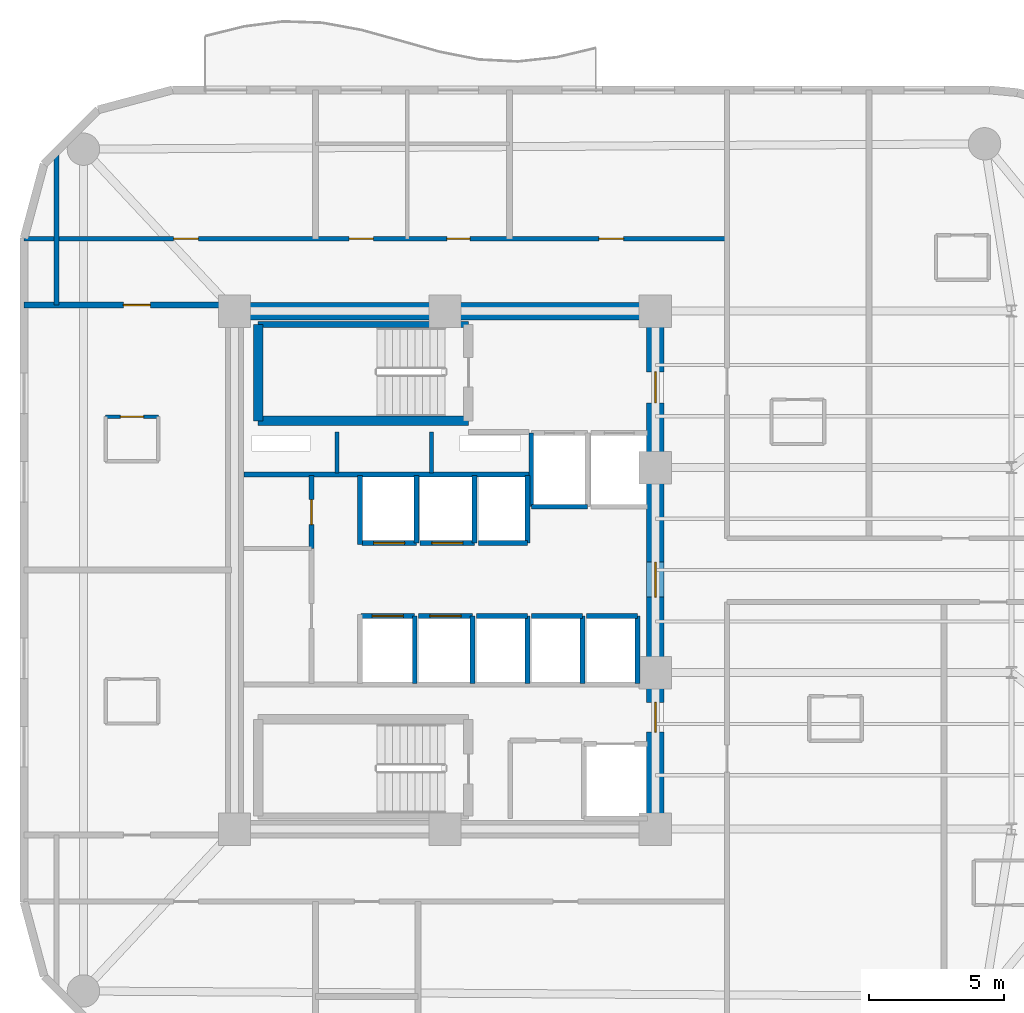
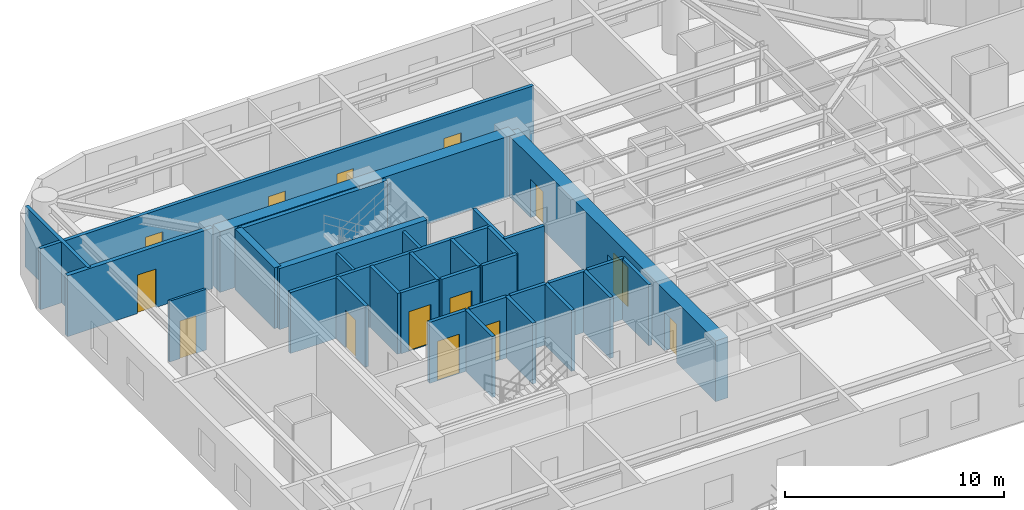
# One storey, part 11 of 15: 32 walls, 14 doors, 14 openings.
"""IFC4 building model written with IfcOpenShell, lengths in metres."""

from ifc_helpers import new_model, si_unit, direction, frame, frame_2d, origin, place, context, subcontext, project, spatial, rectangle, extrude, material, layer, layer_set, type_object, element, fill, save


model = new_model("IFC4")

# Units and contexts
model_context = context("Model", 3, precision=1e-05, world=origin(), true_north=direction((0.0, 1.0)))
body_context = subcontext(model_context, "Body", "Model", "MODEL_VIEW")
ifc_project = project(units=[si_unit("LENGTHUNIT", "METRE"), si_unit("AREAUNIT", "SQUARE_METRE"), si_unit("VOLUMEUNIT", "CUBIC_METRE"), si_unit("PLANEANGLEUNIT", "RADIAN"), si_unit("MASSUNIT", "GRAM", prefix="KILO")], contexts=[model_context])

# Site, building, storey
site_placement = place(None, origin())
site = spatial("IfcSite", under=ifc_project, at=site_placement, CompositionType="ELEMENT")
building_placement = place(site_placement, origin())
building = spatial("IfcBuilding", under=site, at=building_placement, Name="An Khanh Terracotta Commons", CompositionType="ELEMENT")
storey_placement = place(building_placement, frame((0.0, 0.0, 143.800048828125)))
storey = spatial("IfcBuildingStorey", under=building, at=storey_placement, Name="L37", CompositionType="ELEMENT", Elevation=143.800048828125)

# Wall
ifc_material_1 = material(Name="Concrete C60/75", Category="concrete")
ifc_layer_1 = layer(ifc_material_1, 0.64990234375, Name="Concrete C60/75")
ifc_layer_set_1 = layer_set([ifc_layer_1], Name="Concrete C60/75")
wall_type_1 = type_object("IfcWallType", Name="WALL-CORE-650", PredefinedType="SHEAR", material=ifc_layer_set_1)
wall_1_placement = place(storey_placement, frame((21.60009765625, 33.60009765625, 0.0), z_axis=(0.0, 0.0, 1.0), x_axis=(1.0, 0.0, 0.0)))
element("IfcWall", 1, at=wall_1_placement, inside=storey, type_object=wall_type_1, Name="L37 Core Wall CWALL-L37-N", PredefinedType="SHEAR", context=body_context, shape_type="SweptSolid", body=[
    extrude(rectangle(XDim=15.599853515625, YDim=0.64990234375, at=frame_2d((7.7998046875, 0.0))), origin(), (0.0, 0.0, 1.0), 3.39990234375),
])

# Wall, openings, doors
wall_2_placement = place(storey_placement, frame((37.199951171875, 14.39990234375, 0.0), z_axis=(0.0, 0.0, 1.0), x_axis=(0.0, 1.0, 0.0)))
wall_2 = element("IfcWall", 2, at=wall_2_placement, inside=storey, type_object=wall_type_1, Name="L37 Core Wall CWALL-L37-E", PredefinedType="SHEAR", context=body_context, shape_type="SweptSolid", body=[
    extrude(rectangle(XDim=19.2001953125, YDim=0.64990234375, at=frame_2d((9.60009765625, 0.0))), origin(), (0.0, 0.0, 1.0), 3.39990234375),
])
opening_1_placement = place(wall_2_placement, frame((15.800048828125, 0.0, 0.0)))
opening_1 = element("IfcOpeningElement", 3, at=opening_1_placement, cuts=wall_2, Name="Opening D-FFL", PredefinedType="OPENING", context=body_context, shape_type="SweptSolid", body=[
    extrude(rectangle(XDim=1.14990234375, YDim=2.14990234375, at=frame_2d((0.574951171875, 1.074951171875))), frame((0.0, 0.3349609375, 0.0), z_axis=(0.0, -1.0, 0.0), x_axis=(1.0, 0.0, 0.0)), (0.0, 0.0, 1.0), 0.669921875),
])
opening_2_placement = place(wall_2_placement, frame((3.60009765625, 0.0, 0.0)))
opening_2 = element("IfcOpeningElement", 4, at=opening_2_placement, cuts=wall_2, Name="Opening D-ST", PredefinedType="OPENING", context=body_context, shape_type="SweptSolid", body=[
    extrude(rectangle(XDim=1.10009765625, YDim=2.14990234375, at=frame_2d((0.550048828125, 1.074951171875))), frame((0.0, 0.3349609375, 0.0), z_axis=(0.0, -1.0, 0.0), x_axis=(1.0, 0.0, 0.0)), (0.0, 0.0, 1.0), 0.669921875),
])
opening_3_placement = place(wall_2_placement, frame((8.60009765625, 0.0, 0.0)))
opening_3 = element("IfcOpeningElement", 5, at=opening_3_placement, cuts=wall_2, Name="Opening D-COR", PredefinedType="OPENING", context=body_context, shape_type="SweptSolid", body=[
    extrude(rectangle(XDim=1.300048828125, YDim=2.199951171875, at=frame_2d((0.64990234375, 1.10009765625))), frame((0.0, 0.3349609375, 0.0), z_axis=(0.0, -1.0, 0.0), x_axis=(1.0, 0.0, 0.0)), (0.0, 0.0, 1.0), 0.669921875),
])
ifc_material_2 = material(Name="Fire-Rated Glazed Steel Double Door", Category="steel")
door_type_1 = type_object("IfcDoorType", Name="DOOR-CORR-1300", OperationType="NOTDEFINED", PredefinedType="DOOR", material=ifc_material_2)
door_1_placement = place(opening_3_placement, origin())
door_1 = element("IfcDoor", 6, at=door_1_placement, inside=storey, type_object=door_type_1, Name="L37 Passenger Lift Lobby Double Door", OperationType="DOUBLE_DOOR_SINGLE_SWING", OverallHeight=2.199951171875, OverallWidth=1.300048828125, PredefinedType="DOOR", context=body_context, shape_type="SweptSolid", body=[
    extrude(rectangle(XDim=1.300048828125, YDim=2.199951171875, at=frame_2d((0.64990234375, 1.10009765625))), frame((0.0, 0.02490234375, 0.0), z_axis=(0.0, -1.0, 0.0), x_axis=(1.0, 0.0, 0.0)), (0.0, 0.0, 1.0), 0.050048828125),
])
fill(opening_3, door_1)
ifc_material_3 = material(Name="Fire-Rated Steel Leaf and Vision Panel", Category="steel")
door_type_2 = type_object("IfcDoorType", Name="DOOR-FFL-1150", OperationType="NOTDEFINED", PredefinedType="DOOR", material=ifc_material_3)
door_2_placement = place(opening_1_placement, origin())
door_2 = element("IfcDoor", 7, at=door_2_placement, inside=storey, type_object=door_type_2, Name="L37 Firefighting Lift Lobby Fire Door", OperationType="SINGLE_SWING_RIGHT", OverallHeight=2.14990234375, OverallWidth=1.14990234375, PredefinedType="DOOR", context=body_context, shape_type="SweptSolid", body=[
    extrude(rectangle(XDim=1.14990234375, YDim=2.14990234375, at=frame_2d((0.574951171875, 1.074951171875))), frame((0.0, 0.02490234375, 0.0), z_axis=(0.0, -1.0, 0.0), x_axis=(1.0, 0.0, 0.0)), (0.0, 0.0, 1.0), 0.050048828125),
])
fill(opening_1, door_2)
ifc_material_4 = material(Name="Fire-Rated Steel Leaf and Frame", Category="steel")
door_type_3 = type_object("IfcDoorType", Name="DOOR-STAIR-1100", OperationType="NOTDEFINED", PredefinedType="DOOR", material=ifc_material_4)
door_3_placement = place(opening_2_placement, origin())
door_3 = element("IfcDoor", 8, at=door_3_placement, inside=storey, type_object=door_type_3, Name="L37 South Stair Lobby Fire Door", OperationType="SINGLE_SWING_LEFT", OverallHeight=2.14990234375, OverallWidth=1.10009765625, PredefinedType="DOOR", context=body_context, shape_type="SweptSolid", body=[
    extrude(rectangle(XDim=1.10009765625, YDim=2.14990234375, at=frame_2d((0.550048828125, 1.074951171875))), frame((0.0, 0.02490234375, 0.0), z_axis=(0.0, -1.0, 0.0), x_axis=(1.0, 0.0, 0.0)), (0.0, 0.0, 1.0), 0.050048828125),
])
fill(opening_2, door_3)

# Walls
ifc_material_5 = material(Name="Fire-Rated Gypsum Board on Steel Stud", Category="steel")
ifc_layer_2 = layer(ifc_material_5, 0.179931640625, Name="Fire-Rated Gypsum Board on Steel Stud")
ifc_layer_set_2 = layer_set([ifc_layer_2], Name="Fire-Rated Gypsum Board on Steel Stud")
wall_type_2 = type_object("IfcWallType", Name="WALL-CORR-180", PredefinedType="PARTITIONING", material=ifc_layer_set_2)
wall_3_placement = place(storey_placement, frame((21.949951171875, 27.5400390625, 0.0), z_axis=(0.0, 0.0, 1.0), x_axis=(1.0, 0.0, 0.0)))
element("IfcWall", 9, at=wall_3_placement, inside=storey, type_object=wall_type_2, Name="L37 Core Wall RSRW-L37-S", PredefinedType="PARTITIONING", context=body_context, shape_type="SweptSolid", body=[
    extrude(rectangle(XDim=10.56005859375, YDim=0.179931640625, at=frame_2d((5.280029296875, 0.0))), origin(), (0.0, 0.0, 1.0), 3.39990234375),
])
wall_4_placement = place(storey_placement, frame((34.679931640625, 26.35009765625, 0.0), z_axis=(0.0, 0.0, 1.0), x_axis=(-1.0, 0.0, 0.0)))
element("IfcWall", 10, at=wall_4_placement, inside=storey, type_object=wall_type_2, Name="L37 Core Wall LSH-L37-FFL-01-S", PredefinedType="PARTITIONING", context=body_context, shape_type="SweptSolid", body=[
    extrude(rectangle(XDim=2.079833984375, YDim=0.179931640625, at=frame_2d((1.0400390625, 0.0))), origin(), (0.0, 0.0, 1.0), 3.39990234375),
])
wall_5_placement = place(storey_placement, frame((32.60009765625, 29.080078125, 0.0), z_axis=(0.0, 0.0, 1.0), x_axis=(0.0, -1.0, 0.0)))
element("IfcWall", 11, at=wall_5_placement, inside=storey, type_object=wall_type_2, Name="L37 Core Wall LSH-L37-FFL-01-W", PredefinedType="PARTITIONING", context=body_context, shape_type="SweptSolid", body=[
    extrude(rectangle(XDim=2.72998046875, YDim=0.179931640625, at=frame_2d((1.364990234375, 0.0))), origin(), (0.0, 0.0, 1.0), 3.39990234375),
])

# Wall, opening, door
wall_6_placement = place(storey_placement, frame((28.340087890625, 25.0, 0.0), z_axis=(0.0, 0.0, 1.0), x_axis=(-1.0, 0.0, 0.0)))
wall_6 = element("IfcWall", 12, at=wall_6_placement, inside=storey, type_object=wall_type_2, Name="L37 Core Wall LSH-L37-PL-M1-S", PredefinedType="PARTITIONING", context=body_context, shape_type="SweptSolid", body=[
    extrude(rectangle(XDim=2.02001953125, YDim=0.179931640625, at=frame_2d((1.010009765625, 0.0))), origin(), (0.0, 0.0, 1.0), 3.39990234375),
])
opening_4_placement = place(wall_6_placement, frame((0.43505859375, 0.0, 0.0)))
opening_4 = element("IfcOpeningElement", 13, at=opening_4_placement, cuts=wall_6, Name="Opening LD-PL-M1-L37", PredefinedType="OPENING", context=body_context, shape_type="SweptSolid", body=[
    extrude(rectangle(XDim=1.14990234375, YDim=2.199951171875, at=frame_2d((0.574951171875, 1.10009765625))), frame((0.0, 0.099853515625, 0.0), z_axis=(0.0, -1.0, 0.0), x_axis=(1.0, 0.0, 0.0)), (0.0, 0.0, 1.0), 0.199951171875),
])
ifc_material_6 = material(Name="Brushed Stainless Steel Passenger Landing Door", Category="steel")
door_type_4 = type_object("IfcDoorType", Name="DOOR-LD-PAX-1150", OperationType="NOTDEFINED", PredefinedType="DOOR", material=ifc_material_6)
door_4_placement = place(opening_4_placement, origin())
door_4 = element("IfcDoor", 14, at=door_4_placement, inside=storey, type_object=door_type_4, Name="L37 Lift PL-M1 Sliding Landing Door", OperationType="DOUBLE_DOOR_SLIDING", OverallHeight=2.199951171875, OverallWidth=1.14990234375, PredefinedType="DOOR", context=body_context, shape_type="SweptSolid", body=[
    extrude(rectangle(XDim=1.14990234375, YDim=2.199951171875, at=frame_2d((0.574951171875, 1.10009765625))), frame((0.0, 0.02490234375, 0.0), z_axis=(0.0, -1.0, 0.0), x_axis=(1.0, 0.0, 0.0)), (0.0, 0.0, 1.0), 0.050048828125),
])
fill(opening_4, door_4)

# Wall
wall_7_placement = place(storey_placement, frame((28.340087890625, 25.0, 0.0), z_axis=(0.0, 0.0, 1.0), x_axis=(0.0, 1.0, 0.0)))
element("IfcWall", 15, at=wall_7_placement, inside=storey, type_object=wall_type_2, Name="L37 Core Wall LSH-L37-PL-M1-E", PredefinedType="PARTITIONING", context=body_context, shape_type="SweptSolid", body=[
    extrude(rectangle(XDim=2.5, YDim=0.179931640625, at=frame_2d((1.25, 0.0))), origin(), (0.0, 0.0, 1.0), 3.39990234375),
])

# Wall, opening, door
wall_8_placement = place(storey_placement, frame((30.5, 25.0, 0.0), z_axis=(0.0, 0.0, 1.0), x_axis=(-1.0, 0.0, 0.0)))
wall_8 = element("IfcWall", 16, at=wall_8_placement, inside=storey, type_object=wall_type_2, Name="L37 Core Wall LSH-L37-PL-M2-S", PredefinedType="PARTITIONING", context=body_context, shape_type="SweptSolid", body=[
    extrude(rectangle(XDim=2.02001953125, YDim=0.179931640625, at=frame_2d((1.010009765625, 0.0))), origin(), (0.0, 0.0, 1.0), 3.39990234375),
])
opening_5_placement = place(wall_8_placement, frame((0.43505859375, 0.0, 0.0)))
opening_5 = element("IfcOpeningElement", 17, at=opening_5_placement, cuts=wall_8, Name="Opening LD-PL-M2-L37", PredefinedType="OPENING", context=body_context, shape_type="SweptSolid", body=[
    extrude(rectangle(XDim=1.14990234375, YDim=2.199951171875, at=frame_2d((0.574951171875, 1.10009765625))), frame((0.0, 0.099853515625, 0.0), z_axis=(0.0, -1.0, 0.0), x_axis=(1.0, 0.0, 0.0)), (0.0, 0.0, 1.0), 0.199951171875),
])
door_5_placement = place(opening_5_placement, origin())
door_5 = element("IfcDoor", 18, at=door_5_placement, inside=storey, type_object=door_type_4, Name="L37 Lift PL-M2 Sliding Landing Door", OperationType="DOUBLE_DOOR_SLIDING", OverallHeight=2.199951171875, OverallWidth=1.14990234375, PredefinedType="DOOR", context=body_context, shape_type="SweptSolid", body=[
    extrude(rectangle(XDim=1.14990234375, YDim=2.199951171875, at=frame_2d((0.574951171875, 1.10009765625))), frame((0.0, 0.02490234375, 0.0), z_axis=(0.0, -1.0, 0.0), x_axis=(1.0, 0.0, 0.0)), (0.0, 0.0, 1.0), 0.050048828125),
])
fill(opening_5, door_5)

# Wall
wall_9_placement = place(storey_placement, frame((30.5, 25.0, 0.0), z_axis=(0.0, 0.0, 1.0), x_axis=(0.0, 1.0, 0.0)))
element("IfcWall", 19, at=wall_9_placement, inside=storey, type_object=wall_type_2, Name="L37 Core Wall LSH-L37-PL-M2-E", PredefinedType="PARTITIONING", context=body_context, shape_type="SweptSolid", body=[
    extrude(rectangle(XDim=2.5, YDim=0.179931640625, at=frame_2d((1.25, 0.0))), origin(), (0.0, 0.0, 1.0), 3.39990234375),
])

# Wall, opening, door
wall_10_placement = place(storey_placement, frame((26.280029296875, 22.300048828125, 0.0), z_axis=(0.0, 0.0, 1.0), x_axis=(1.0, 0.0, 0.0)))
wall_10 = element("IfcWall", 20, at=wall_10_placement, inside=storey, type_object=wall_type_2, Name="L37 Core Wall LSH-L37-PL-M3-N", PredefinedType="PARTITIONING", context=body_context, shape_type="SweptSolid", body=[
    extrude(rectangle(XDim=2.0, YDim=0.179931640625, at=frame_2d((1.0, 0.0))), origin(), (0.0, 0.0, 1.0), 3.39990234375),
])
opening_6_placement = place(wall_10_placement, frame((0.425048828125, 0.0, 0.0)))
opening_6 = element("IfcOpeningElement", 21, at=opening_6_placement, cuts=wall_10, Name="Opening LD-PL-M3-L37", PredefinedType="OPENING", context=body_context, shape_type="SweptSolid", body=[
    extrude(rectangle(XDim=1.14990234375, YDim=2.199951171875, at=frame_2d((0.574951171875, 1.10009765625))), frame((0.0, 0.099853515625, 0.0), z_axis=(0.0, -1.0, 0.0), x_axis=(1.0, 0.0, 0.0)), (0.0, 0.0, 1.0), 0.199951171875),
])
door_6_placement = place(opening_6_placement, origin())
door_6 = element("IfcDoor", 22, at=door_6_placement, inside=storey, type_object=door_type_4, Name="L37 Lift PL-M3 Sliding Landing Door", OperationType="DOUBLE_DOOR_SLIDING", OverallHeight=2.199951171875, OverallWidth=1.14990234375, PredefinedType="DOOR", context=body_context, shape_type="SweptSolid", body=[
    extrude(rectangle(XDim=1.14990234375, YDim=2.199951171875, at=frame_2d((0.574951171875, 1.10009765625))), frame((0.0, 0.02490234375, 0.0), z_axis=(0.0, -1.0, 0.0), x_axis=(1.0, 0.0, 0.0)), (0.0, 0.0, 1.0), 0.050048828125),
])
fill(opening_6, door_6)

# Wall
wall_11_placement = place(storey_placement, frame((28.280029296875, 19.800048828125, 0.0), z_axis=(0.0, 0.0, 1.0), x_axis=(0.0, 1.0, 0.0)))
element("IfcWall", 23, at=wall_11_placement, inside=storey, type_object=wall_type_2, Name="L37 Core Wall LSH-L37-PL-M3-E", PredefinedType="PARTITIONING", context=body_context, shape_type="SweptSolid", body=[
    extrude(rectangle(XDim=2.5, YDim=0.179931640625, at=frame_2d((1.25, 0.0))), origin(), (0.0, 0.0, 1.0), 3.39990234375),
])

# Wall, opening, door
wall_12_placement = place(storey_placement, frame((28.419921875, 22.300048828125, 0.0), z_axis=(0.0, 0.0, 1.0), x_axis=(1.0, 0.0, 0.0)))
wall_12 = element("IfcWall", 24, at=wall_12_placement, inside=storey, type_object=wall_type_2, Name="L37 Core Wall LSH-L37-PL-M4-N", PredefinedType="PARTITIONING", context=body_context, shape_type="SweptSolid", body=[
    extrude(rectangle(XDim=2.0, YDim=0.179931640625, at=frame_2d((1.0, 0.0))), origin(), (0.0, 0.0, 1.0), 3.39990234375),
])
opening_7_placement = place(wall_12_placement, frame((0.425048828125, 0.0, 0.0)))
opening_7 = element("IfcOpeningElement", 25, at=opening_7_placement, cuts=wall_12, Name="Opening LD-PL-M4-L37", PredefinedType="OPENING", context=body_context, shape_type="SweptSolid", body=[
    extrude(rectangle(XDim=1.14990234375, YDim=2.199951171875, at=frame_2d((0.574951171875, 1.10009765625))), frame((0.0, 0.099853515625, 0.0), z_axis=(0.0, -1.0, 0.0), x_axis=(1.0, 0.0, 0.0)), (0.0, 0.0, 1.0), 0.199951171875),
])
door_7_placement = place(opening_7_placement, origin())
door_7 = element("IfcDoor", 26, at=door_7_placement, inside=storey, type_object=door_type_4, Name="L37 Lift PL-M4 Sliding Landing Door", OperationType="DOUBLE_DOOR_SLIDING", OverallHeight=2.199951171875, OverallWidth=1.14990234375, PredefinedType="DOOR", context=body_context, shape_type="SweptSolid", body=[
    extrude(rectangle(XDim=1.14990234375, YDim=2.199951171875, at=frame_2d((0.574951171875, 1.10009765625))), frame((0.0, 0.02490234375, 0.0), z_axis=(0.0, -1.0, 0.0), x_axis=(1.0, 0.0, 0.0)), (0.0, 0.0, 1.0), 0.050048828125),
])
fill(opening_7, door_7)

# Walls
wall_13_placement = place(storey_placement, frame((30.419921875, 19.800048828125, 0.0), z_axis=(0.0, 0.0, 1.0), x_axis=(0.0, 1.0, 0.0)))
element("IfcWall", 27, at=wall_13_placement, inside=storey, type_object=wall_type_2, Name="L37 Core Wall LSH-L37-PL-M4-E", PredefinedType="PARTITIONING", context=body_context, shape_type="SweptSolid", body=[
    extrude(rectangle(XDim=2.5, YDim=0.179931640625, at=frame_2d((1.25, 0.0))), origin(), (0.0, 0.0, 1.0), 3.39990234375),
])
wall_14_placement = place(storey_placement, frame((32.4599609375, 25.0, 0.0), z_axis=(0.0, 0.0, 1.0), x_axis=(-1.0, 0.0, 0.0)))
element("IfcWall", 28, at=wall_14_placement, inside=storey, type_object=wall_type_2, Name="L37 Core Wall LSH-L37-PL-H1-S", PredefinedType="PARTITIONING", context=body_context, shape_type="SweptSolid", body=[
    extrude(rectangle(XDim=1.820068359375, YDim=0.179931640625, at=frame_2d((0.91015625, 0.0))), origin(), (0.0, 0.0, 1.0), 3.39990234375),
])
wall_15_placement = place(storey_placement, frame((32.4599609375, 25.0, 0.0), z_axis=(0.0, 0.0, 1.0), x_axis=(0.0, 1.0, 0.0)))
element("IfcWall", 29, at=wall_15_placement, inside=storey, type_object=wall_type_2, Name="L37 Core Wall LSH-L37-PL-H1-E", PredefinedType="PARTITIONING", context=body_context, shape_type="SweptSolid", body=[
    extrude(rectangle(XDim=2.5, YDim=0.179931640625, at=frame_2d((1.25, 0.0))), origin(), (0.0, 0.0, 1.0), 3.39990234375),
])
wall_16_placement = place(storey_placement, frame((30.56005859375, 22.300048828125, 0.0), z_axis=(0.0, 0.0, 1.0), x_axis=(1.0, 0.0, 0.0)))
element("IfcWall", 30, at=wall_16_placement, inside=storey, type_object=wall_type_2, Name="L37 Core Wall LSH-L37-PL-H2-N", PredefinedType="PARTITIONING", context=body_context, shape_type="SweptSolid", body=[
    extrude(rectangle(XDim=1.89990234375, YDim=0.179931640625, at=frame_2d((0.949951171875, 0.0))), origin(), (0.0, 0.0, 1.0), 3.39990234375),
])
wall_17_placement = place(storey_placement, frame((32.4599609375, 19.800048828125, 0.0), z_axis=(0.0, 0.0, 1.0), x_axis=(0.0, 1.0, 0.0)))
element("IfcWall", 31, at=wall_17_placement, inside=storey, type_object=wall_type_2, Name="L37 Core Wall LSH-L37-PL-H2-E", PredefinedType="PARTITIONING", context=body_context, shape_type="SweptSolid", body=[
    extrude(rectangle(XDim=2.5, YDim=0.179931640625, at=frame_2d((1.25, 0.0))), origin(), (0.0, 0.0, 1.0), 3.39990234375),
])
wall_18_placement = place(storey_placement, frame((32.60009765625, 22.300048828125, 0.0), z_axis=(0.0, 0.0, 1.0), x_axis=(1.0, 0.0, 0.0)))
element("IfcWall", 32, at=wall_18_placement, inside=storey, type_object=wall_type_2, Name="L37 Core Wall LSH-L37-PL-H3-N", PredefinedType="PARTITIONING", context=body_context, shape_type="SweptSolid", body=[
    extrude(rectangle(XDim=1.89990234375, YDim=0.179931640625, at=frame_2d((0.949951171875, 0.0))), origin(), (0.0, 0.0, 1.0), 3.39990234375),
])
wall_19_placement = place(storey_placement, frame((34.5, 19.800048828125, 0.0), z_axis=(0.0, 0.0, 1.0), x_axis=(0.0, 1.0, 0.0)))
element("IfcWall", 33, at=wall_19_placement, inside=storey, type_object=wall_type_2, Name="L37 Core Wall LSH-L37-PL-H3-E", PredefinedType="PARTITIONING", context=body_context, shape_type="SweptSolid", body=[
    extrude(rectangle(XDim=2.5, YDim=0.179931640625, at=frame_2d((1.25, 0.0))), origin(), (0.0, 0.0, 1.0), 3.39990234375),
])
wall_20_placement = place(storey_placement, frame((34.639892578125, 22.300048828125, 0.0), z_axis=(0.0, 0.0, 1.0), x_axis=(1.0, 0.0, 0.0)))
element("IfcWall", 34, at=wall_20_placement, inside=storey, type_object=wall_type_2, Name="L37 Core Wall LSH-L37-PL-H4-N", PredefinedType="PARTITIONING", context=body_context, shape_type="SweptSolid", body=[
    extrude(rectangle(XDim=1.900146484375, YDim=0.179931640625, at=frame_2d((0.9501953125, 0.0))), origin(), (0.0, 0.0, 1.0), 3.39990234375),
])
wall_21_placement = place(storey_placement, frame((36.5400390625, 19.800048828125, 0.0), z_axis=(0.0, 0.0, 1.0), x_axis=(0.0, 1.0, 0.0)))
element("IfcWall", 35, at=wall_21_placement, inside=storey, type_object=wall_type_2, Name="L37 Core Wall LSH-L37-PL-H4-E", PredefinedType="PARTITIONING", context=body_context, shape_type="SweptSolid", body=[
    extrude(rectangle(XDim=2.5, YDim=0.179931640625, at=frame_2d((1.25, 0.0))), origin(), (0.0, 0.0, 1.0), 3.39990234375),
])

# Wall, opening, door
wall_22_placement = place(storey_placement, frame((24.4599609375, 24.800048828125, 0.0), z_axis=(0.0, 0.0, 1.0), x_axis=(0.0, 1.0, 0.0)))
wall_22 = element("IfcWall", 36, at=wall_22_placement, inside=storey, type_object=wall_type_2, Name="L37 Core Wall RECW-L37-E1", PredefinedType="PARTITIONING", context=body_context, shape_type="SweptSolid", body=[
    extrude(rectangle(XDim=2.699951171875, YDim=0.179931640625, at=frame_2d((1.35009765625, 0.0))), origin(), (0.0, 0.0, 1.0), 3.39990234375),
])
opening_8_placement = place(wall_22_placement, frame((0.889892578125, 0.0, 0.0)))
opening_8 = element("IfcOpeningElement", 37, at=opening_8_placement, cuts=wall_22, Name="Opening D-RM", PredefinedType="OPENING", context=body_context, shape_type="SweptSolid", body=[
    extrude(rectangle(XDim=0.919921875, YDim=2.10009765625, at=frame_2d((0.4599609375, 1.050048828125))), frame((0.0, 0.099853515625, 0.0), z_axis=(0.0, -1.0, 0.0), x_axis=(1.0, 0.0, 0.0)), (0.0, 0.0, 1.0), 0.199951171875),
])
ifc_material_7 = material(Name="Engineered Hardwood Timber Leaf", Category="wood")
door_type_5 = type_object("IfcDoorType", Name="DOOR-INT-920", OperationType="NOTDEFINED", PredefinedType="DOOR", material=ifc_material_7)
door_8_placement = place(opening_8_placement, origin())
door_8 = element("IfcDoor", 38, at=door_8_placement, inside=storey, type_object=door_type_5, Name="L37 Floor Pantry and Ice Room Door", OperationType="SINGLE_SWING_LEFT", OverallHeight=2.10009765625, OverallWidth=0.919921875, PredefinedType="DOOR", context=body_context, shape_type="SweptSolid", body=[
    extrude(rectangle(XDim=0.919921875, YDim=2.10009765625, at=frame_2d((0.4599609375, 1.050048828125))), frame((0.0, 0.02490234375, 0.0), z_axis=(0.0, -1.0, 0.0), x_axis=(1.0, 0.0, 0.0)), (0.0, 0.0, 1.0), 0.050048828125),
])
fill(opening_8, door_8)

# Wall
wall_23_placement = place(storey_placement, frame((26.25, 24.949951171875, 0.0), z_axis=(0.0, 0.0, 1.0), x_axis=(0.0, 1.0, 0.0)))
element("IfcWall", 39, at=wall_23_placement, inside=storey, type_object=wall_type_2, Name="L37 Core Wall RECW-L37-BE1", PredefinedType="PARTITIONING", context=body_context, shape_type="SweptSolid", body=[
    extrude(rectangle(XDim=2.550048828125, YDim=0.179931640625, at=frame_2d((1.27490234375, 0.0))), origin(), (0.0, 0.0, 1.0), 3.39990234375),
])

# Wall, openings, doors
wall_24_placement = place(storey_placement, frame((13.800048828125, 36.280029296875, 0.0), z_axis=(0.0, 0.0, 1.0), x_axis=(1.0, 0.0, 0.0)))
wall_24 = element("IfcWall", 40, at=wall_24_placement, inside=storey, type_object=wall_type_2, Name="L37 Interior Partition IW-L37-E011", PredefinedType="PARTITIONING", context=body_context, shape_type="SweptSolid", body=[
    extrude(rectangle(XDim=26.050048828125, YDim=0.179931640625, at=frame_2d((13.02490234375, 0.0))), origin(), (0.0, 0.0, 1.0), 3.39990234375),
])
opening_9_placement = place(wall_24_placement, frame((12.050048828125, 0.0, 0.0)))
opening_9 = element("IfcOpeningElement", 41, at=opening_9_placement, cuts=wall_24, Name="Opening D-WC", PredefinedType="OPENING", context=body_context, shape_type="SweptSolid", body=[
    extrude(rectangle(XDim=0.89990234375, YDim=2.10009765625, at=frame_2d((0.449951171875, 1.050048828125))), frame((0.0, 0.099853515625, 0.0), z_axis=(0.0, -1.0, 0.0), x_axis=(1.0, 0.0, 0.0)), (0.0, 0.0, 1.0), 0.199951171875),
])
opening_10_placement = place(wall_24_placement, frame((15.669921875, 0.0, 0.0)))
opening_10 = element("IfcOpeningElement", 42, at=opening_10_placement, cuts=wall_24, Name="Opening D-ENS", PredefinedType="OPENING", context=body_context, shape_type="SweptSolid", body=[
    extrude(rectangle(XDim=0.860107421875, YDim=2.10009765625, at=frame_2d((0.43017578125, 1.050048828125))), frame((0.0, 0.099853515625, 0.0), z_axis=(0.0, -1.0, 0.0), x_axis=(1.0, 0.0, 0.0)), (0.0, 0.0, 1.0), 0.199951171875),
])
opening_11_placement = place(wall_24_placement, frame((5.5400390625, 0.0, 0.0)))
opening_11 = element("IfcOpeningElement", 43, at=opening_11_placement, cuts=wall_24, Name="Opening D-RM", PredefinedType="OPENING", context=body_context, shape_type="SweptSolid", body=[
    extrude(rectangle(XDim=0.919921875, YDim=2.10009765625, at=frame_2d((0.4599609375, 1.050048828125))), frame((0.0, 0.099853515625, 0.0), z_axis=(0.0, -1.0, 0.0), x_axis=(1.0, 0.0, 0.0)), (0.0, 0.0, 1.0), 0.199951171875),
])
opening_12_placement = place(wall_24_placement, frame((21.304931640625, 0.0, 0.0)))
opening_12 = element("IfcOpeningElement", 44, at=opening_12_placement, cuts=wall_24, Name="Opening D-RM", PredefinedType="OPENING", context=body_context, shape_type="SweptSolid", body=[
    extrude(rectangle(XDim=0.919921875, YDim=2.10009765625, at=frame_2d((0.4599609375, 1.050048828125))), frame((0.0, 0.099853515625, 0.0), z_axis=(0.0, -1.0, 0.0), x_axis=(1.0, 0.0, 0.0)), (0.0, 0.0, 1.0), 0.199951171875),
])
ifc_material_8 = material(Name="Moisture-Resistant Hardwood Timber Leaf", Category="wood")
door_type_6 = type_object("IfcDoorType", Name="DOOR-BATH-860", OperationType="NOTDEFINED", PredefinedType="DOOR", material=ifc_material_8)
door_9_placement = place(opening_10_placement, origin())
door_9 = element("IfcDoor", 45, at=door_9_placement, inside=storey, type_object=door_type_6, Name="L37 SHW Resident Shared Shower and Washroom Door", OperationType="SINGLE_SWING_LEFT", OverallHeight=2.10009765625, OverallWidth=0.860107421875, PredefinedType="DOOR", context=body_context, shape_type="SweptSolid", body=[
    extrude(rectangle(XDim=0.860107421875, YDim=2.10009765625, at=frame_2d((0.43017578125, 1.050048828125))), frame((0.0, 0.02490234375, 0.0), z_axis=(0.0, -1.0, 0.0), x_axis=(1.0, 0.0, 0.0)), (0.0, 0.0, 1.0), 0.050048828125),
])
fill(opening_10, door_9)
door_10_placement = place(opening_11_placement, origin())
door_10 = element("IfcDoor", 46, at=door_10_placement, inside=storey, type_object=door_type_5, Name="L37 NW1 Co-Living Master Bedroom Door", OperationType="SINGLE_SWING_LEFT", OverallHeight=2.10009765625, OverallWidth=0.919921875, PredefinedType="DOOR", context=body_context, shape_type="SweptSolid", body=[
    extrude(rectangle(XDim=0.919921875, YDim=2.10009765625, at=frame_2d((0.4599609375, 1.050048828125))), frame((0.0, 0.02490234375, 0.0), z_axis=(0.0, -1.0, 0.0), x_axis=(1.0, 0.0, 0.0)), (0.0, 0.0, 1.0), 0.050048828125),
])
fill(opening_11, door_10)
door_11_placement = place(opening_12_placement, origin())
door_11 = element("IfcDoor", 47, at=door_11_placement, inside=storey, type_object=door_type_5, Name="L37 NWE Co-Living Master Bedroom Door", OperationType="SINGLE_SWING_RIGHT", OverallHeight=2.10009765625, OverallWidth=0.919921875, PredefinedType="DOOR", context=body_context, shape_type="SweptSolid", body=[
    extrude(rectangle(XDim=0.919921875, YDim=2.10009765625, at=frame_2d((0.4599609375, 1.050048828125))), frame((0.0, 0.02490234375, 0.0), z_axis=(0.0, -1.0, 0.0), x_axis=(1.0, 0.0, 0.0)), (0.0, 0.0, 1.0), 0.050048828125),
])
fill(opening_12, door_11)
ifc_material_9 = material(Name="Laminate Moisture-Resistant Timber Leaf", Category="wood")
door_type_7 = type_object("IfcDoorType", Name="DOOR-WC-900", OperationType="NOTDEFINED", PredefinedType="DOOR", material=ifc_material_9)
door_12_placement = place(opening_9_placement, origin())
door_12 = element("IfcDoor", 48, at=door_12_placement, inside=storey, type_object=door_type_7, Name="L37 AWC Accessible WC Door", OperationType="SINGLE_SWING_RIGHT", OverallHeight=2.10009765625, OverallWidth=0.89990234375, PredefinedType="DOOR", context=body_context, shape_type="SweptSolid", body=[
    extrude(rectangle(XDim=0.89990234375, YDim=2.10009765625, at=frame_2d((0.449951171875, 1.050048828125))), frame((0.0, 0.02490234375, 0.0), z_axis=(0.0, -1.0, 0.0), x_axis=(1.0, 0.0, 0.0)), (0.0, 0.0, 1.0), 0.050048828125),
])
fill(opening_9, door_12)

# Walls
wall_25_placement = place(storey_placement, frame((15.0, 33.820068359375, 0.0), z_axis=(0.0, 0.0, 1.0), x_axis=(0.0, 1.0, 0.0)))
element("IfcWall", 49, at=wall_25_placement, inside=storey, type_object=wall_type_2, Name="L37 Interior Partition IW-L37-E014", PredefinedType="PARTITIONING", context=body_context, shape_type="SweptSolid", body=[
    extrude(rectangle(XDim=5.69287109375, YDim=0.179931640625, at=frame_2d((2.846435546875, 0.0))), origin(), (0.0, 0.0, 1.0), 3.39990234375),
])
ifc_material_10 = material(Name="Acoustic Gypsum Board Partition")
ifc_layer_3 = layer(ifc_material_10, 0.14990234375, Name="Acoustic Gypsum Board Partition")
ifc_layer_set_3 = layer_set([ifc_layer_3], Name="Acoustic Gypsum Board Partition")
wall_type_3 = type_object("IfcWallType", Name="WALL-PART-150", PredefinedType="PARTITIONING", material=ifc_layer_set_3)
for number, where, z_axis, x_axis, name in (
    (50, (25.39990234375, 27.60009765625, 0.0), (0.0, 0.0, 1.0), (0.0, 1.0, 0.0), "L37 Core Wall RSRW-L37-D1"),
    (51, (28.89990234375, 27.60009765625, 0.0), (0.0, 0.0, 1.0), (0.0, 1.0, 0.0), "L37 Core Wall RSRW-L37-D2"),
):
    element("IfcWall", number, at=place(storey_placement, frame(where, z_axis=z_axis, x_axis=x_axis)), inside=storey, type_object=wall_type_3, Name=name, PredefinedType="PARTITIONING", context=body_context, shape_type="SweptSolid", body=[
        extrude(rectangle(XDim=1.52001953125, YDim=0.14990234375, at=frame_2d((0.760009765625, 0.0))), origin(), (0.0, 0.0, 1.0), 3.39990234375),
    ])
ifc_material_11 = material(Name="Acoustic Double-Stud Gypsum and Mineral Wool")
ifc_layer_4 = layer(ifc_material_11, 0.219970703125, Name="Acoustic Double-Stud Gypsum and Mineral Wool")
ifc_layer_set_4 = layer_set([ifc_layer_4], Name="Acoustic Double-Stud Gypsum and Mineral Wool")
wall_type_4 = type_object("IfcWallType", Name="WALL-PARTY-220", PredefinedType="PARTITIONING", material=ifc_layer_set_4)
wall_26_placement = place(storey_placement, frame((22.47998046875, 33.110107421875, 0.0), z_axis=(0.0, 0.0, 1.0), x_axis=(1.0, 0.0, 0.0)))
element("IfcWall", 52, at=wall_26_placement, inside=storey, type_object=wall_type_4, Name="L37 Core Wall STW-L37-N-N", PredefinedType="PARTITIONING", context=body_context, shape_type="SweptSolid", body=[
    extrude(rectangle(XDim=7.7900390625, YDim=0.219970703125, at=frame_2d((3.89501953125, 0.0))), origin(), (0.0, 0.0, 1.0), 3.39990234375),
])

# Wall, opening, door
wall_27_placement = place(storey_placement, frame((13.800048828125, 33.820068359375, 0.0), z_axis=(0.0, 0.0, 1.0), x_axis=(1.0, 0.0, 0.0)))
wall_27 = element("IfcWall", 53, at=wall_27_placement, inside=storey, type_object=wall_type_4, Name="L37 Interior Partition IW-L37-E010", PredefinedType="PARTITIONING", context=body_context, shape_type="SweptSolid", body=[
    extrude(rectangle(XDim=7.679931640625, YDim=0.219970703125, at=frame_2d((3.83984375, 0.0))), origin(), (0.0, 0.0, 1.0), 3.39990234375),
])
opening_13_placement = place(wall_27_placement, frame((3.679931640625, 0.0, 0.0)))
opening_13 = element("IfcOpeningElement", 54, at=opening_13_placement, cuts=wall_27, Name="Opening D-UN", PredefinedType="OPENING", context=body_context, shape_type="SweptSolid", body=[
    extrude(rectangle(XDim=1.0, YDim=2.14990234375, at=frame_2d((0.5, 1.074951171875))), frame((0.0, 0.119873046875, 0.0), z_axis=(0.0, -1.0, 0.0), x_axis=(1.0, 0.0, 0.0)), (0.0, 0.0, 1.0), 0.239990234375),
])
ifc_material_12 = material(Name="Solid-Core Hardwood Acoustic Fire Door", Category="wood")
door_type_8 = type_object("IfcDoorType", Name="DOOR-UNIT-1000", OperationType="NOTDEFINED", PredefinedType="DOOR", material=ifc_material_12)
door_13_placement = place(opening_13_placement, origin())
door_13 = element("IfcDoor", 55, at=door_13_placement, inside=storey, type_object=door_type_8, Name="L37 WW2 Kitchenette and Studio Apartment Door", OperationType="SINGLE_SWING_RIGHT", OverallHeight=2.14990234375, OverallWidth=1.0, PredefinedType="DOOR", context=body_context, shape_type="SweptSolid", body=[
    extrude(rectangle(XDim=1.0, YDim=2.14990234375, at=frame_2d((0.5, 1.074951171875))), frame((0.0, 0.02490234375, 0.0), z_axis=(0.0, -1.0, 0.0), x_axis=(1.0, 0.0, 0.0)), (0.0, 0.0, 1.0), 0.050048828125),
])
fill(opening_13, door_13)

# Walls
ifc_material_13 = material(Name="Concrete C50/60", Category="concrete")
ifc_layer_5 = layer(ifc_material_13, 0.35009765625, Name="Concrete C50/60")
ifc_layer_set_5 = layer_set([ifc_layer_5], Name="Concrete C50/60")
wall_type_5 = type_object("IfcWallType", Name="WALL-SHAFT-350", PredefinedType="SOLIDWALL", material=ifc_layer_set_5)
wall_28_placement = place(storey_placement, frame((22.47998046875, 29.530029296875, 0.0), z_axis=(0.0, 0.0, 1.0), x_axis=(1.0, 0.0, 0.0)))
element("IfcWall", 56, at=wall_28_placement, inside=storey, type_object=wall_type_5, Name="L37 Core Wall STW-L37-N-S", PredefinedType="SOLIDWALL", context=body_context, shape_type="SweptSolid", body=[
    extrude(rectangle(XDim=7.7900390625, YDim=0.35009765625, at=frame_2d((3.89501953125, 0.0))), origin(), (0.0, 0.0, 1.0), 3.39990234375),
])
wall_29_placement = place(storey_placement, frame((22.47998046875, 29.530029296875, 0.0), z_axis=(0.0, 0.0, 1.0), x_axis=(0.0, 1.0, 0.0)))
element("IfcWall", 57, at=wall_29_placement, inside=storey, type_object=wall_type_5, Name="L37 Core Wall STW-L37-N-W", PredefinedType="SOLIDWALL", context=body_context, shape_type="SweptSolid", body=[
    extrude(rectangle(XDim=3.580078125, YDim=0.35009765625, at=frame_2d((1.7900390625, 0.0))), origin(), (0.0, 0.0, 1.0), 3.39990234375),
])

# Wall, opening, door
ifc_material_14 = material(Name="Moisture-Resistant Cement Board Partition")
ifc_layer_6 = layer(ifc_material_14, 0.1201171875, Name="Moisture-Resistant Cement Board Partition")
ifc_layer_set_6 = layer_set([ifc_layer_6], Name="Moisture-Resistant Cement Board Partition")
wall_type_6 = type_object("IfcWallType", Name="WALL-WET-120", PredefinedType="PARTITIONING", material=ifc_layer_set_6)
wall_30_placement = place(storey_placement, frame((16.824951171875, 29.68505859375, 0.0), z_axis=(0.0, 0.0, 1.0), x_axis=(1.0, 0.0, 0.0)))
wall_30 = element("IfcWall", 58, at=wall_30_placement, inside=storey, type_object=wall_type_6, Name="L37 Interior Partition IW-L37-WW2-BN", PredefinedType="PARTITIONING", context=body_context, shape_type="SweptSolid", body=[
    extrude(rectangle(XDim=1.949951171875, YDim=0.1201171875, at=frame_2d((0.97509765625, 0.0))), origin(), (0.0, 0.0, 1.0), 3.39990234375),
])
opening_14_placement = place(wall_30_placement, frame((0.544921875, 0.0, 0.0)))
opening_14 = element("IfcOpeningElement", 59, at=opening_14_placement, cuts=wall_30, Name="Opening D-ENS", PredefinedType="OPENING", context=body_context, shape_type="SweptSolid", body=[
    extrude(rectangle(XDim=0.860107421875, YDim=2.10009765625, at=frame_2d((0.43017578125, 1.050048828125))), frame((0.0, 0.070068359375, 0.0), z_axis=(0.0, -1.0, 0.0), x_axis=(1.0, 0.0, 0.0)), (0.0, 0.0, 1.0), 0.14013671875),
])
door_14_placement = place(opening_14_placement, origin())
door_14 = element("IfcDoor", 60, at=door_14_placement, inside=storey, type_object=door_type_6, Name="L37 Studio WW2 En-suite Door", OperationType="SINGLE_SWING_LEFT", OverallHeight=2.10009765625, OverallWidth=0.860107421875, PredefinedType="DOOR", context=body_context, shape_type="SweptSolid", body=[
    extrude(rectangle(XDim=0.860107421875, YDim=2.10009765625, at=frame_2d((0.43017578125, 1.050048828125))), frame((0.0, 0.02490234375, 0.0), z_axis=(0.0, -1.0, 0.0), x_axis=(1.0, 0.0, 0.0)), (0.0, 0.0, 1.0), 0.050048828125),
])
fill(opening_14, door_14)

save(model, "model.ifc")
